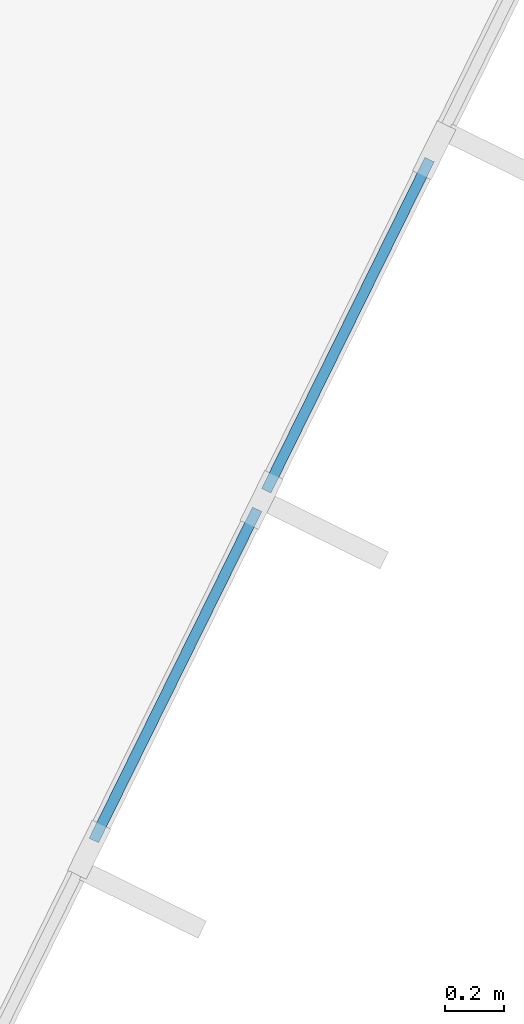
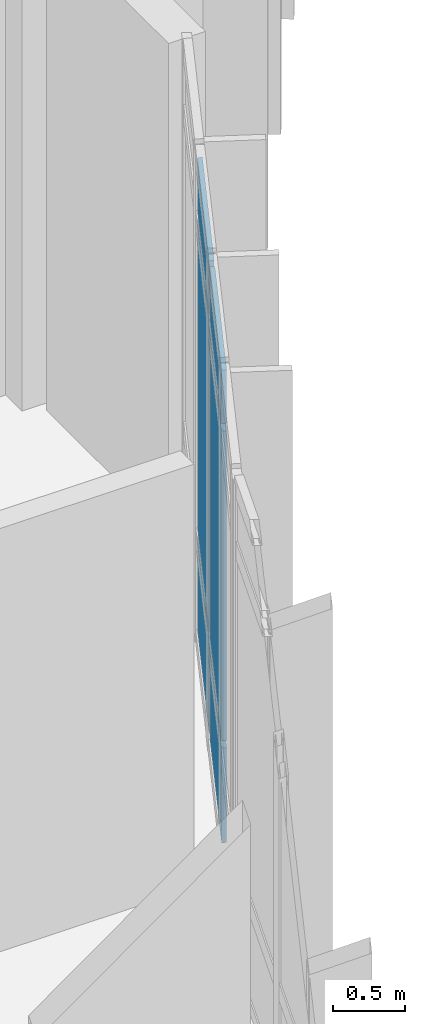
# One storey, part 86 of 144: 6 plates, 1 element without a shape of its own.
"""IFC4 building model written with IfcOpenShell, lengths in metres."""

from ifc_helpers import new_model, si_unit, direction, frame, origin, origin_2d, place, context, subcontext, project, spatial, rectangle, extrude, material, layer, layer_set, type_object, element, aggregate, save


model = new_model("IFC4")

# Units and contexts
model_context = context("Model", 3, precision=1e-05, world=origin(), true_north=direction((0.0, 1.0)))
body_context = subcontext(model_context, "Body", "Model", "MODEL_VIEW")
ifc_project = project(units=[si_unit("LENGTHUNIT", "METRE"), si_unit("AREAUNIT", "SQUARE_METRE"), si_unit("VOLUMEUNIT", "CUBIC_METRE"), si_unit("PLANEANGLEUNIT", "RADIAN"), si_unit("MASSUNIT", "GRAM", prefix="KILO")], contexts=[model_context])

# Site, building, storey
site_placement = place(None, origin())
site = spatial("IfcSite", under=ifc_project, at=site_placement, CompositionType="ELEMENT")
building_placement = place(site_placement, origin())
building = spatial("IfcBuilding", under=site, at=building_placement, Name="Bramfleet General Hospital", CompositionType="ELEMENT")
storey_placement = place(building_placement, frame((0.0, 0.0, 4.800048828125)))
storey = spatial("IfcBuildingStorey", under=building, at=storey_placement, Name="L01", CompositionType="ELEMENT", Elevation=4.800048828125)

# Curtain wall, plates
ifc_material_1 = material(Name="Anodised aluminium and low-E triple glazing", Category="aluminium")
ifc_layer_1 = layer(ifc_material_1, 0.179931640625, Name="CWT-CW-05")
ifc_layer_set_1 = layer_set([ifc_layer_1], Name="Anodised aluminium and low-E triple glazing")
curtain_wall_type = type_object("IfcCurtainWallType", Name="CWT-CW-05", PredefinedType="USERDEFINED", material=ifc_layer_set_1)
curtain_wall_placement = place(storey_placement, origin())
curtain_wall = element("IfcCurtainWall", 1, at=curtain_wall_placement, inside=storey, type_object=curtain_wall_type, Name="L01 Curtain Wall 59", ObjectType="Unitised curtain wall", PredefinedType="USERDEFINED")
ifc_material_2 = material(Name="Low-E laminated safety glass", Category="glass")
ifc_layer_2 = layer(ifc_material_2, 0.035888671875, Name="CWP-GLZ-3")
ifc_layer_set_2 = layer_set([ifc_layer_2], Name="Low-E laminated safety glass")
plate_type = type_object("IfcPlateType", Name="CWP-GLZ-3", PredefinedType="CURTAIN_PANEL", material=ifc_layer_set_2)
plate_1_placement = place(storey_placement, frame((133.520263671875, 63.342041015625, 0.06494140625), z_axis=(0.0, 0.0, 1.0), x_axis=(-0.442304948782, -0.896864723513, 0.0)))
plate_1 = element("IfcPlate", 2, at=plate_1_placement, type_object=plate_type, Name="CW-05 panel 2.1", PredefinedType="CURTAIN_PANEL", context=body_context, shape_type="SweptSolid", body=[
    extrude(rectangle(XDim=1.256103515625, YDim=0.035888671875, at=origin_2d()), origin(), (0.0, 0.0, 1.0), 0.802490234375),
])
plate_2_placement = place(storey_placement, frame((133.520263671875, 63.342041015625, 0.932373046875), z_axis=(0.0, 0.0, 1.0), x_axis=(-0.442304948782, -0.896864723513, 0.0)))
plate_2 = element("IfcPlate", 3, at=plate_2_placement, type_object=plate_type, Name="CW-05 panel 2.2", PredefinedType="CURTAIN_PANEL", context=body_context, shape_type="SweptSolid", body=[
    extrude(rectangle(XDim=1.256103515625, YDim=0.035888671875, at=origin_2d()), origin(), (0.0, 0.0, 1.0), 2.625),
])
plate_3_placement = place(storey_placement, frame((133.520263671875, 63.342041015625, 3.62255859375), z_axis=(0.0, 0.0, 1.0), x_axis=(-0.442304948782, -0.896864723513, 0.0)))
plate_3 = element("IfcPlate", 4, at=plate_3_placement, type_object=plate_type, Name="CW-05 panel 2.3", PredefinedType="CURTAIN_PANEL", context=body_context, shape_type="SweptSolid", body=[
    extrude(rectangle(XDim=1.256103515625, YDim=0.035888671875, at=origin_2d()), origin(), (0.0, 0.0, 1.0), 0.452392578125),
])
plate_4_placement = place(storey_placement, frame((132.933837890625, 62.15283203125, 0.06494140625), z_axis=(0.0, 0.0, 1.0), x_axis=(-0.442304948782, -0.896864723513, 0.0)))
plate_4 = element("IfcPlate", 5, at=plate_4_placement, type_object=plate_type, Name="CW-05 panel 3.1", PredefinedType="CURTAIN_PANEL", context=body_context, shape_type="SweptSolid", body=[
    extrude(rectangle(XDim=1.256103515625, YDim=0.035888671875, at=origin_2d()), origin(), (0.0, 0.0, 1.0), 0.802490234375),
])
plate_5_placement = place(storey_placement, frame((132.933837890625, 62.15283203125, 0.932373046875), z_axis=(0.0, 0.0, 1.0), x_axis=(-0.442304948782, -0.896864723513, 0.0)))
plate_5 = element("IfcPlate", 6, at=plate_5_placement, type_object=plate_type, Name="CW-05 panel 3.2", PredefinedType="CURTAIN_PANEL", context=body_context, shape_type="SweptSolid", body=[
    extrude(rectangle(XDim=1.256103515625, YDim=0.035888671875, at=origin_2d()), origin(), (0.0, 0.0, 1.0), 2.625),
])
plate_6_placement = place(storey_placement, frame((132.933837890625, 62.15283203125, 3.62255859375), z_axis=(0.0, 0.0, 1.0), x_axis=(-0.442304948782, -0.896864723513, 0.0)))
plate_6 = element("IfcPlate", 7, at=plate_6_placement, type_object=plate_type, Name="CW-05 panel 3.3", PredefinedType="CURTAIN_PANEL", context=body_context, shape_type="SweptSolid", body=[
    extrude(rectangle(XDim=1.256103515625, YDim=0.035888671875, at=origin_2d()), origin(), (0.0, 0.0, 1.0), 0.452392578125),
])
aggregate(curtain_wall, [plate_1, plate_2, plate_3, plate_4, plate_5, plate_6])

save(model, "model.ifc")
